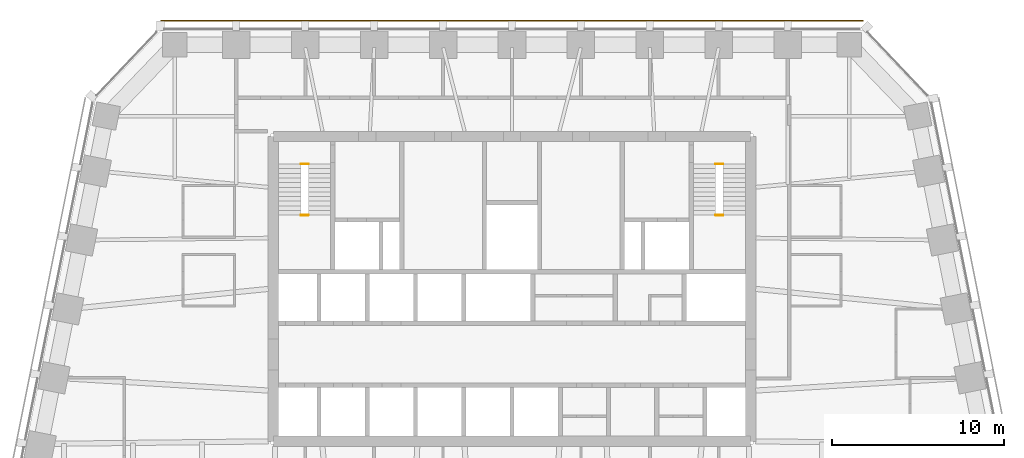
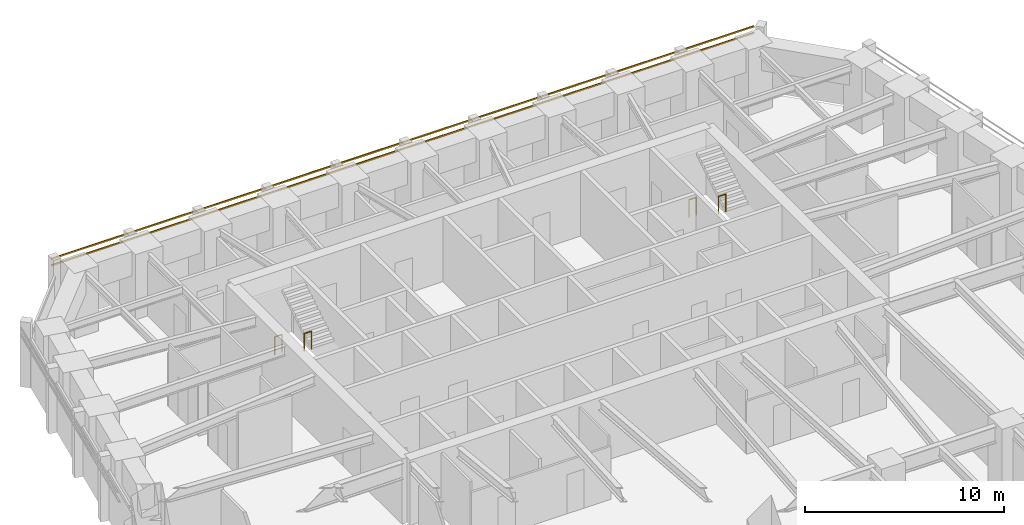
# One storey, part 10 of 10: 4 railings, 2 shading devices.
"""IFC4 building model written with IfcOpenShell, lengths in metres."""

from ifc_helpers import new_model, si_unit, direction, frame, origin, origin_2d, place, context, subcontext, project, spatial, rectangle, circle, extrude, material, material_profile, profile_set, type_object, element, save


model = new_model("IFC4")

# Units and contexts
model_context = context("Model", 3, precision=1e-05, world=origin(), true_north=direction((0.0, 1.0)))
body_context = subcontext(model_context, "Body", "Model", "MODEL_VIEW")
ifc_project = project(units=[si_unit("LENGTHUNIT", "METRE"), si_unit("AREAUNIT", "SQUARE_METRE"), si_unit("VOLUMEUNIT", "CUBIC_METRE"), si_unit("PLANEANGLEUNIT", "RADIAN"), si_unit("MASSUNIT", "GRAM", prefix="KILO")], contexts=[model_context])

# Site, building, storey
site_placement = place(None, origin())
site = spatial("IfcSite", under=ifc_project, at=site_placement, CompositionType="ELEMENT")
building_placement = place(site_placement, origin())
building = spatial("IfcBuilding", under=site, at=building_placement, Name="Isbrekke Arena Tower", CompositionType="ELEMENT")
storey_placement = place(building_placement, frame((0.0, 0.0, 222.0)))
storey = spatial("IfcBuildingStorey", under=building, at=storey_placement, Name="L51", CompositionType="ELEMENT", Elevation=222.0)

# Shading devices
ifc_material_1 = material(Name="Terracotta", Category="masonry")
ifc_material_profile = material_profile(ifc_material_1, rectangle(XDim=0.06005859375, YDim=0.06005859375, at=origin_2d()), Name="BAGUETTE 60X60")
ifc_profile_set = profile_set([ifc_material_profile], Name="Terracotta")
shading_device_type = type_object("IfcShadingDeviceType", Name="BG1 TERRACOTTA BAGUETTE 60 x 60", PredefinedType="USERDEFINED", material=ifc_profile_set)
for number, where, z_axis, x_axis, name in (
    (1, (20.39990234375, 30.580078125, 3.280029296875), (-1.0, 0.0, 0.0), (0.0, -1.0, 0.0), "BG1 terracotta baguette N1 L51"),
    (2, (20.39990234375, 30.580078125, 3.679931640625), (-1.0, 0.0, 0.0), (0.0, -1.0, 0.0), "BG1 terracotta baguette N2 L51"),
):
    element("IfcShadingDevice", number, at=place(storey_placement, frame(where, z_axis=z_axis, x_axis=x_axis)), inside=storey, type_object=shading_device_type, Name=name, ObjectType="TERRACOTTA BAGUETTE", PredefinedType="USERDEFINED", context=body_context, shape_type="SweptSolid", body=[
        extrude(rectangle(XDim=0.06005859375, YDim=0.06005859375, at=origin_2d()), origin(), (0.0, 0.0, 1.0), 40.7998046875),
    ])

# Railings
ifc_material_2 = material(Name="Steel stair guard, vertical bars, steel handrail", Category="steel")
railing_type = type_object("IfcRailingType", Name="GR3 STAIR WELL GUARD 1100", PredefinedType="GUARDRAIL", material=ifc_material_2)
for number, where, name in (
    (3, (-12.25, 22.25, 0.0), "GR3 stair well guard ST1 L51"),
    (4, (-12.25, 19.280029296875, 2.0), "GR3 stair well guard ST1 L51"),
    (5, (11.824951171875, 22.25, 0.0), "GR3 stair well guard ST2 L51"),
    (6, (11.824951171875, 19.280029296875, 2.0), "GR3 stair well guard ST2 L51"),
):
    element("IfcRailing", number, at=place(storey_placement, frame(where)), inside=storey, type_object=railing_type, Name=name, PredefinedType="GUARDRAIL", context=body_context, shape_type="SweptSolid", body=[
        extrude(circle(Radius=0.02392578125, at=origin_2d()), frame((0.0, 0.0, 1.076171875), z_axis=(1.0, 0.0, 0.0), x_axis=(0.0, 1.0, 0.0)), (0.0, 0.0, 1.0), 0.425048828125),
        extrude(circle(Radius=0.02099609375, at=origin_2d()), origin(), (0.0, 0.0, 1.0), 1.052001953125),
        extrude(circle(Radius=0.02099609375, at=origin_2d()), frame((0.425048828125, 0.0, 0.0)), (0.0, 0.0, 1.0), 1.052001953125),
    ])

save(model, "model.ifc")
